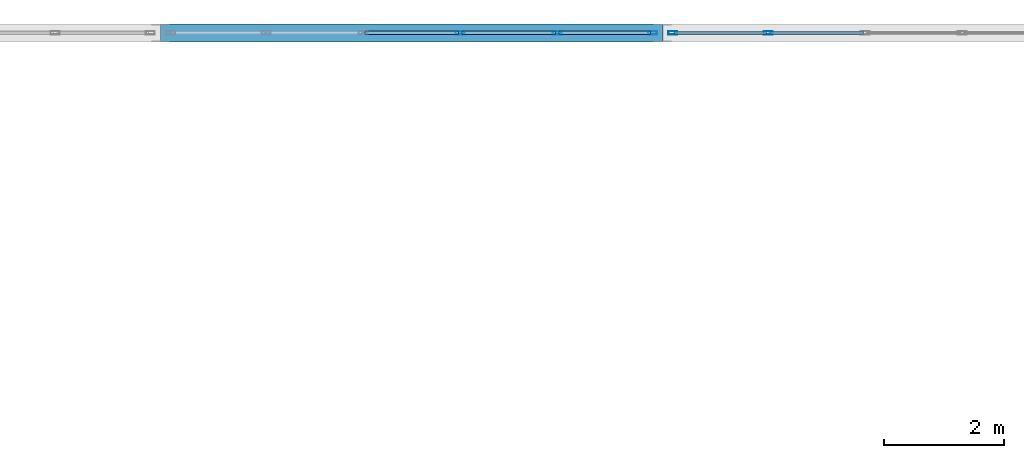
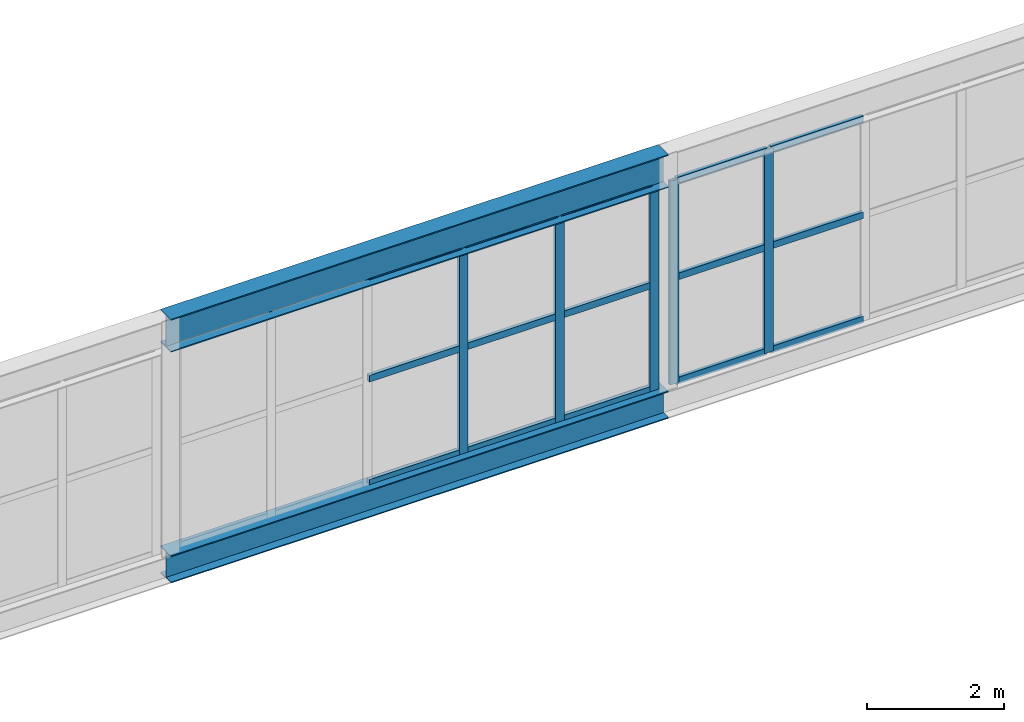
# One storey, part 170 of 218: 20 members, 2 beams, 2 elements without a shape of their own.
"""IFC4 building model written with IfcOpenShell, lengths in metres."""

from ifc_helpers import new_model, si_unit, direction, frame, origin, origin_2d, place, context, subcontext, project, spatial, hollow_rectangle, i_section, extrude, material, material_profile, profile_set, type_object, element, aggregate, save


model = new_model("IFC4")

# Units and contexts
model_context = context("Model", 3, precision=1e-05, world=origin(), true_north=direction((0.0, 1.0)))
body_context = subcontext(model_context, "Body", "Model", "MODEL_VIEW")
ifc_project = project(units=[si_unit("LENGTHUNIT", "METRE"), si_unit("AREAUNIT", "SQUARE_METRE"), si_unit("VOLUMEUNIT", "CUBIC_METRE"), si_unit("PLANEANGLEUNIT", "RADIAN"), si_unit("MASSUNIT", "GRAM", prefix="KILO")], contexts=[model_context])

# Site, building, storey
site_placement = place(None, origin())
site = spatial("IfcSite", under=ifc_project, at=site_placement, CompositionType="ELEMENT")
building_placement = place(site_placement, origin())
building = spatial("IfcBuilding", under=site, at=building_placement, Name="Kazenagashi Tramway Depot", CompositionType="ELEMENT")
storey_placement = place(building_placement, frame((0.0, 0.0, 6.0)))
storey = spatial("IfcBuildingStorey", under=building, at=storey_placement, Name="L02", CompositionType="ELEMENT", Elevation=6.0)

# Curtain wall, members
ifc_material_1 = material(Name="Anodised Aluminium and Low-E Glazing", Category="aluminium")
curtain_wall_type = type_object("IfcCurtainWallType", Name="CW-15", PredefinedType="USERDEFINED", material=ifc_material_1)
curtain_wall_1_placement = place(storey_placement, origin())
curtain_wall_1 = element("IfcCurtainWall", 1, at=curtain_wall_1_placement, inside=storey, type_object=curtain_wall_type, Name="Industrial Glazed Screen CW-15 CW-0078", ObjectType="GLAZED SCREEN", PredefinedType="USERDEFINED")
ifc_material_2 = material(Name="Anodised Aluminium", Category="aluminium")
ifc_material_profile_1 = material_profile(ifc_material_2, hollow_rectangle(XDim=0.06, YDim=0.15, WallThickness=0.004, at=origin_2d()), Name="RHS-150x60x4")
ifc_profile_set_1 = profile_set([ifc_material_profile_1], Name="Anodised Aluminium")
member_type_1 = type_object("IfcMemberType", Name="ML-01", PredefinedType="MULLION", material=ifc_profile_set_1)
member_1_placement = place(storey_placement, frame((133.812, 130.0, -0.02), z_axis=(0.0, 0.0, 1.0), x_axis=(0.0, 1.0, 0.0)))
member_1 = element("IfcMember", 2, at=member_1_placement, type_object=member_type_1, Name="CW-15 mullion 4", PredefinedType="MULLION", context=body_context, shape_type="SweptSolid", body=[
    extrude(hollow_rectangle(XDim=0.06, YDim=0.15, WallThickness=0.004, at=origin_2d()), origin(), (0.0, 0.0, 1.0), 3.632),
])
member_2_placement = place(storey_placement, frame((135.436, 130.0, -0.02), z_axis=(0.0, 0.0, 1.0), x_axis=(0.0, 1.0, 0.0)))
member_2 = element("IfcMember", 3, at=member_2_placement, type_object=member_type_1, Name="CW-15 mullion 5", PredefinedType="MULLION", context=body_context, shape_type="SweptSolid", body=[
    extrude(hollow_rectangle(XDim=0.06, YDim=0.15, WallThickness=0.004, at=origin_2d()), origin(), (0.0, 0.0, 1.0), 3.632),
])
member_3_placement = place(storey_placement, frame((137.03, 130.0, -0.02), z_axis=(0.0, 0.0, 1.0), x_axis=(0.0, 1.0, 0.0)))
member_3 = element("IfcMember", 4, at=member_3_placement, type_object=member_type_1, Name="CW-15 mullion 6", PredefinedType="MULLION", context=body_context, shape_type="SweptSolid", body=[
    extrude(hollow_rectangle(XDim=0.06, YDim=0.15, WallThickness=0.004, at=origin_2d()), origin(), (0.0, 0.0, 1.0), 3.632),
])

curtain_wall_2_placement = place(storey_placement, origin())
curtain_wall_2 = element("IfcCurtainWall", 5, at=curtain_wall_2_placement, inside=storey, type_object=curtain_wall_type, Name="Industrial Glazed Screen CW-15 CW-0081", ObjectType="GLAZED SCREEN", PredefinedType="USERDEFINED")
member_4_placement = place(storey_placement, frame((137.37, 130.0, -0.02), z_axis=(0.0, 0.0, 1.0), x_axis=(0.0, 1.0, 0.0)))
member_4 = element("IfcMember", 6, at=member_4_placement, type_object=member_type_1, Name="CW-15 mullion 1", PredefinedType="MULLION", context=body_context, shape_type="SweptSolid", body=[
    extrude(hollow_rectangle(XDim=0.06, YDim=0.15, WallThickness=0.004, at=origin_2d()), origin(), (0.0, 0.0, 1.0), 3.632),
])
member_5_placement = place(storey_placement, frame((138.964, 130.0, -0.02), z_axis=(0.0, 0.0, 1.0), x_axis=(0.0, 1.0, 0.0)))
member_5 = element("IfcMember", 7, at=member_5_placement, type_object=member_type_1, Name="CW-15 mullion 2", PredefinedType="MULLION", context=body_context, shape_type="SweptSolid", body=[
    extrude(hollow_rectangle(XDim=0.06, YDim=0.15, WallThickness=0.004, at=origin_2d()), origin(), (0.0, 0.0, 1.0), 3.632),
])

# Beams
ifc_material_3 = material(Name="Steel SN490B", Category="steel")
ifc_material_profile_2 = material_profile(ifc_material_3, i_section(OverallWidth=0.3, OverallDepth=0.588, WebThickness=0.012, FlangeThickness=0.02, at=origin_2d()), Name="H-588x300x12x20")
ifc_profile_set_2 = profile_set([ifc_material_profile_2], Name="Steel SN490B")
beam_type_1 = type_object("IfcBeamType", Name="SP-01", PredefinedType="SPANDREL", material=ifc_profile_set_2)
beam_1_placement = place(storey_placement, frame((128.8, 130.0, 3.906), z_axis=(1.0, 0.0, 0.0), x_axis=(0.0, 1.0, 0.0)))
element("IfcBeam", 8, at=beam_1_placement, inside=storey, type_object=beam_type_1, Name="Beam SP-01 BM-1890", PredefinedType="SPANDREL", context=body_context, shape_type="SweptSolid", body=[
    extrude(i_section(OverallWidth=0.3, OverallDepth=0.588, WebThickness=0.012, FlangeThickness=0.02, at=origin_2d()), origin(), (0.0, 0.0, 1.0), 8.4),
])
ifc_material_profile_3 = material_profile(ifc_material_3, i_section(OverallWidth=0.3, OverallDepth=0.488, WebThickness=0.011, FlangeThickness=0.018, at=origin_2d()), Name="H-488x300x11x18")
ifc_profile_set_3 = profile_set([ifc_material_profile_3], Name="Steel SN490B")
beam_type_2 = type_object("IfcBeamType", Name="SP-02", PredefinedType="SPANDREL", material=ifc_profile_set_3)
beam_2_placement = place(storey_placement, frame((128.8, 130.0, -0.264), z_axis=(1.0, 0.0, 0.0), x_axis=(0.0, 1.0, 0.0)))
element("IfcBeam", 9, at=beam_2_placement, inside=storey, type_object=beam_type_2, Name="Beam SP-02 BM-1834", PredefinedType="SPANDREL", context=body_context, shape_type="SweptSolid", body=[
    extrude(i_section(OverallWidth=0.3, OverallDepth=0.488, WebThickness=0.011, FlangeThickness=0.018, at=origin_2d()), origin(), (0.0, 0.0, 1.0), 8.4),
])

# Member
ifc_material_profile_4 = material_profile(ifc_material_2, hollow_rectangle(XDim=0.06, YDim=0.12, WallThickness=0.004, at=origin_2d()), Name="RHS-120x60x4")
ifc_profile_set_4 = profile_set([ifc_material_profile_4], Name="Anodised Aluminium")
member_type_2 = type_object("IfcMemberType", Name="TR-01", PredefinedType="USERDEFINED", material=ifc_profile_set_4)
member_6_placement = place(storey_placement, frame((132.218, 130.0, 0.01), z_axis=(1.0, 0.0, 0.0), x_axis=(0.0, 1.0, 0.0)))
member_6 = element("IfcMember", 10, at=member_6_placement, type_object=member_type_2, Name="CW-15 transom 3.1", ObjectType="TRANSOM", PredefinedType="USERDEFINED", context=body_context, shape_type="SweptSolid", body=[
    extrude(hollow_rectangle(XDim=0.06, YDim=0.12, WallThickness=0.004, at=origin_2d()), origin(), (0.0, 0.0, 1.0), 1.564),
])

member_7_placement = place(storey_placement, frame((132.218, 130.0, 1.869), z_axis=(1.0, 0.0, 0.0), x_axis=(0.0, 1.0, 0.0)))
member_7 = element("IfcMember", 11, at=member_7_placement, type_object=member_type_2, Name="CW-15 transom 3.2", ObjectType="TRANSOM", PredefinedType="USERDEFINED", context=body_context, shape_type="SweptSolid", body=[
    extrude(hollow_rectangle(XDim=0.06, YDim=0.12, WallThickness=0.004, at=origin_2d()), origin(), (0.0, 0.0, 1.0), 1.564),
])

member_8_placement = place(storey_placement, frame((132.218, 130.0, 3.582), z_axis=(1.0, 0.0, 0.0), x_axis=(0.0, 1.0, 0.0)))
member_8 = element("IfcMember", 12, at=member_8_placement, type_object=member_type_2, Name="CW-15 transom 3.3", ObjectType="TRANSOM", PredefinedType="USERDEFINED", context=body_context, shape_type="SweptSolid", body=[
    extrude(hollow_rectangle(XDim=0.06, YDim=0.12, WallThickness=0.004, at=origin_2d()), origin(), (0.0, 0.0, 1.0), 1.564),
])

member_9_placement = place(storey_placement, frame((133.842, 130.0, 0.01), z_axis=(1.0, 0.0, 0.0), x_axis=(0.0, 1.0, 0.0)))
member_9 = element("IfcMember", 13, at=member_9_placement, type_object=member_type_2, Name="CW-15 transom 4.1", ObjectType="TRANSOM", PredefinedType="USERDEFINED", context=body_context, shape_type="SweptSolid", body=[
    extrude(hollow_rectangle(XDim=0.06, YDim=0.12, WallThickness=0.004, at=origin_2d()), origin(), (0.0, 0.0, 1.0), 1.564),
])

member_10_placement = place(storey_placement, frame((133.842, 130.0, 1.869), z_axis=(1.0, 0.0, 0.0), x_axis=(0.0, 1.0, 0.0)))
member_10 = element("IfcMember", 14, at=member_10_placement, type_object=member_type_2, Name="CW-15 transom 4.2", ObjectType="TRANSOM", PredefinedType="USERDEFINED", context=body_context, shape_type="SweptSolid", body=[
    extrude(hollow_rectangle(XDim=0.06, YDim=0.12, WallThickness=0.004, at=origin_2d()), origin(), (0.0, 0.0, 1.0), 1.564),
])

member_11_placement = place(storey_placement, frame((133.842, 130.0, 3.582), z_axis=(1.0, 0.0, 0.0), x_axis=(0.0, 1.0, 0.0)))
member_11 = element("IfcMember", 15, at=member_11_placement, type_object=member_type_2, Name="CW-15 transom 4.3", ObjectType="TRANSOM", PredefinedType="USERDEFINED", context=body_context, shape_type="SweptSolid", body=[
    extrude(hollow_rectangle(XDim=0.06, YDim=0.12, WallThickness=0.004, at=origin_2d()), origin(), (0.0, 0.0, 1.0), 1.564),
])

member_12_placement = place(storey_placement, frame((135.466, 130.0, 0.01), z_axis=(1.0, 0.0, 0.0), x_axis=(0.0, 1.0, 0.0)))
member_12 = element("IfcMember", 16, at=member_12_placement, type_object=member_type_2, Name="CW-15 transom 5.1", ObjectType="TRANSOM", PredefinedType="USERDEFINED", context=body_context, shape_type="SweptSolid", body=[
    extrude(hollow_rectangle(XDim=0.06, YDim=0.12, WallThickness=0.004, at=origin_2d()), origin(), (0.0, 0.0, 1.0), 1.534),
])

member_13_placement = place(storey_placement, frame((135.466, 130.0, 1.869), z_axis=(1.0, 0.0, 0.0), x_axis=(0.0, 1.0, 0.0)))
member_13 = element("IfcMember", 17, at=member_13_placement, type_object=member_type_2, Name="CW-15 transom 5.2", ObjectType="TRANSOM", PredefinedType="USERDEFINED", context=body_context, shape_type="SweptSolid", body=[
    extrude(hollow_rectangle(XDim=0.06, YDim=0.12, WallThickness=0.004, at=origin_2d()), origin(), (0.0, 0.0, 1.0), 1.534),
])

member_14_placement = place(storey_placement, frame((135.466, 130.0, 3.582), z_axis=(1.0, 0.0, 0.0), x_axis=(0.0, 1.0, 0.0)))
member_14 = element("IfcMember", 18, at=member_14_placement, type_object=member_type_2, Name="CW-15 transom 5.3", ObjectType="TRANSOM", PredefinedType="USERDEFINED", context=body_context, shape_type="SweptSolid", body=[
    extrude(hollow_rectangle(XDim=0.06, YDim=0.12, WallThickness=0.004, at=origin_2d()), origin(), (0.0, 0.0, 1.0), 1.534),
])

aggregate(curtain_wall_1, [member_1, member_2, member_3, member_6, member_7, member_8, member_9, member_10, member_11, member_12, member_13, member_14])

member_15_placement = place(storey_placement, frame((137.4, 130.0, 0.01), z_axis=(1.0, 0.0, 0.0), x_axis=(0.0, 1.0, 0.0)))
member_15 = element("IfcMember", 19, at=member_15_placement, type_object=member_type_2, Name="CW-15 transom 1.1", ObjectType="TRANSOM", PredefinedType="USERDEFINED", context=body_context, shape_type="SweptSolid", body=[
    extrude(hollow_rectangle(XDim=0.06, YDim=0.12, WallThickness=0.004, at=origin_2d()), origin(), (0.0, 0.0, 1.0), 1.534),
])

member_16_placement = place(storey_placement, frame((137.4, 130.0, 1.869), z_axis=(1.0, 0.0, 0.0), x_axis=(0.0, 1.0, 0.0)))
member_16 = element("IfcMember", 20, at=member_16_placement, type_object=member_type_2, Name="CW-15 transom 1.2", ObjectType="TRANSOM", PredefinedType="USERDEFINED", context=body_context, shape_type="SweptSolid", body=[
    extrude(hollow_rectangle(XDim=0.06, YDim=0.12, WallThickness=0.004, at=origin_2d()), origin(), (0.0, 0.0, 1.0), 1.534),
])

member_17_placement = place(storey_placement, frame((137.4, 130.0, 3.582), z_axis=(1.0, 0.0, 0.0), x_axis=(0.0, 1.0, 0.0)))
member_17 = element("IfcMember", 21, at=member_17_placement, type_object=member_type_2, Name="CW-15 transom 1.3", ObjectType="TRANSOM", PredefinedType="USERDEFINED", context=body_context, shape_type="SweptSolid", body=[
    extrude(hollow_rectangle(XDim=0.06, YDim=0.12, WallThickness=0.004, at=origin_2d()), origin(), (0.0, 0.0, 1.0), 1.534),
])

member_18_placement = place(storey_placement, frame((138.994, 130.0, 0.01), z_axis=(1.0, 0.0, 0.0), x_axis=(0.0, 1.0, 0.0)))
member_18 = element("IfcMember", 22, at=member_18_placement, type_object=member_type_2, Name="CW-15 transom 2.1", ObjectType="TRANSOM", PredefinedType="USERDEFINED", context=body_context, shape_type="SweptSolid", body=[
    extrude(hollow_rectangle(XDim=0.06, YDim=0.12, WallThickness=0.004, at=origin_2d()), origin(), (0.0, 0.0, 1.0), 1.564),
])

member_19_placement = place(storey_placement, frame((138.994, 130.0, 1.869), z_axis=(1.0, 0.0, 0.0), x_axis=(0.0, 1.0, 0.0)))
member_19 = element("IfcMember", 23, at=member_19_placement, type_object=member_type_2, Name="CW-15 transom 2.2", ObjectType="TRANSOM", PredefinedType="USERDEFINED", context=body_context, shape_type="SweptSolid", body=[
    extrude(hollow_rectangle(XDim=0.06, YDim=0.12, WallThickness=0.004, at=origin_2d()), origin(), (0.0, 0.0, 1.0), 1.564),
])

member_20_placement = place(storey_placement, frame((138.994, 130.0, 3.582), z_axis=(1.0, 0.0, 0.0), x_axis=(0.0, 1.0, 0.0)))
member_20 = element("IfcMember", 24, at=member_20_placement, type_object=member_type_2, Name="CW-15 transom 2.3", ObjectType="TRANSOM", PredefinedType="USERDEFINED", context=body_context, shape_type="SweptSolid", body=[
    extrude(hollow_rectangle(XDim=0.06, YDim=0.12, WallThickness=0.004, at=origin_2d()), origin(), (0.0, 0.0, 1.0), 1.564),
])

aggregate(curtain_wall_2, [member_4, member_5, member_15, member_16, member_17, member_18, member_19, member_20])

save(model, "model.ifc")
